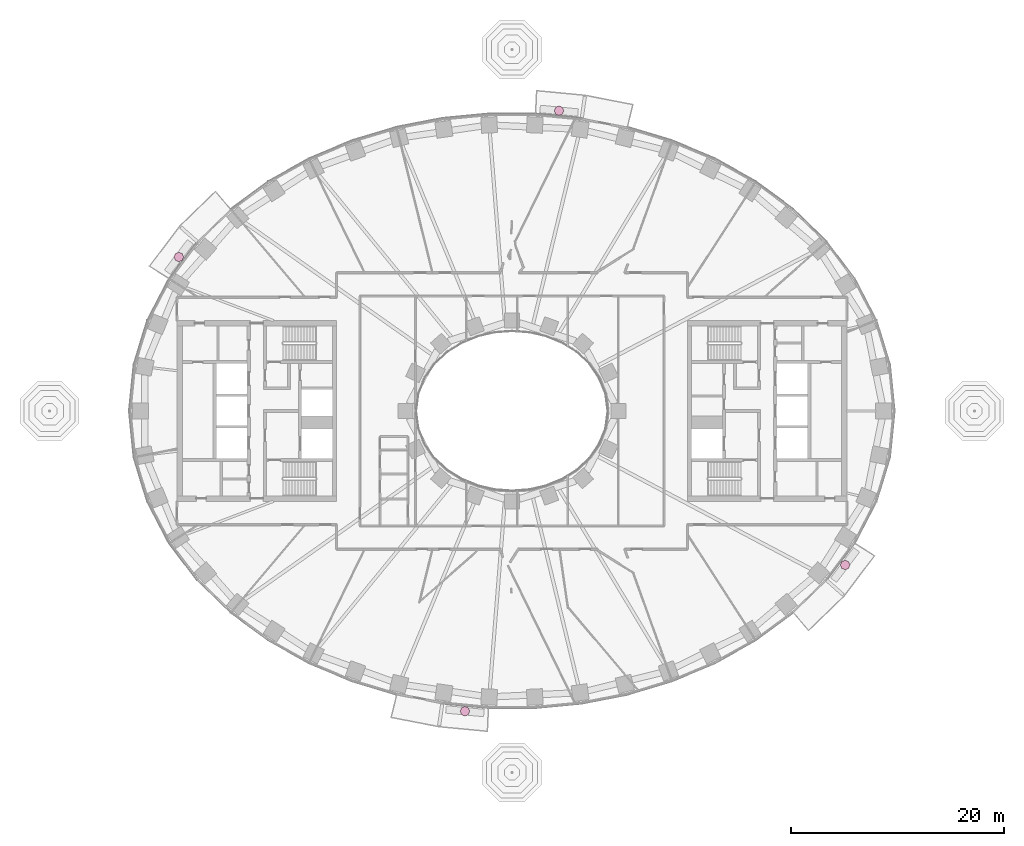
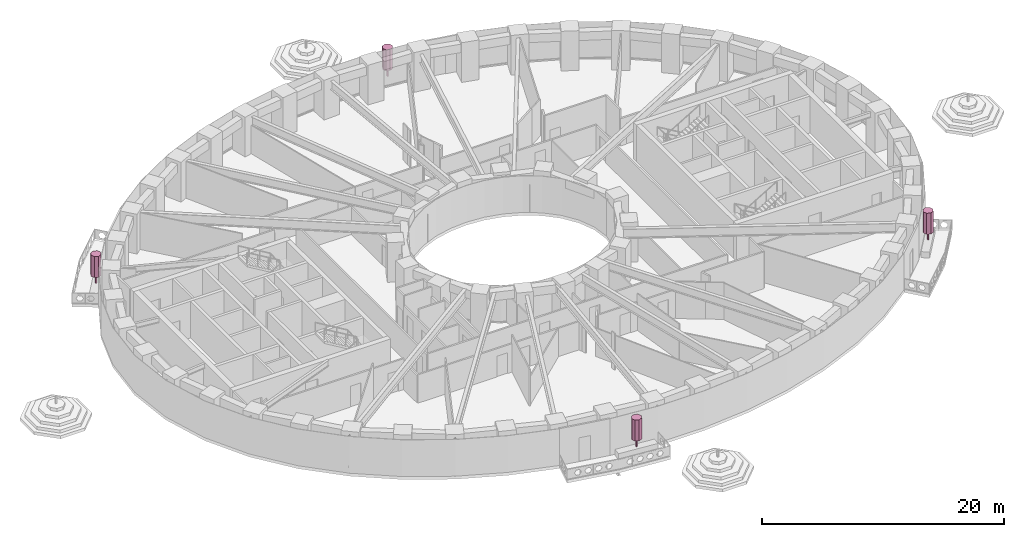
# One storey, part 20 of 20: 4 furnishings.
"""IFC4 building model written with IfcOpenShell, lengths in metres."""

from ifc_helpers import new_model, si_unit, direction, frame, origin, origin_2d, place, context, subcontext, project, spatial, polyline, rectangle, outline, extrude, material, type_object, element, save


model = new_model("IFC4")

# Units and contexts
model_context = context("Model", 3, precision=1e-05, world=origin(), true_north=direction((0.0, 1.0)))
body_context = subcontext(model_context, "Body", "Model", "MODEL_VIEW")
ifc_project = project(units=[si_unit("LENGTHUNIT", "METRE"), si_unit("AREAUNIT", "SQUARE_METRE"), si_unit("VOLUMEUNIT", "CUBIC_METRE"), si_unit("PLANEANGLEUNIT", "RADIAN"), si_unit("MASSUNIT", "GRAM", prefix="KILO")], contexts=[model_context])

# Site, building, storey
site_placement = place(None, origin())
site = spatial("IfcSite", under=ifc_project, at=site_placement, CompositionType="ELEMENT")
building_placement = place(site_placement, origin())
building = spatial("IfcBuilding", under=site, at=building_placement, Name="Noorbagh Ring Tower", CompositionType="ELEMENT")
storey_placement = place(building_placement, frame((0.0, 0.0, 34.5)))
storey = spatial("IfcBuildingStorey", under=building, at=storey_placement, Name="L06", CompositionType="ELEMENT", Elevation=34.5)

# Furnishings
ifc_material = material(Name="Planting foliage green")
furnishing_element_type = type_object("IfcFurnishingElementType", Name="ENV-TREE", material=ifc_material)
for number, where, z_axis, x_axis, name in (
    (1, (4.423828125, 28.2373046875, 0.60009765625), (0.0, 0.0, 1.0), (1.0, 0.0, 0.0), "Tree BN03"),
    (2, (-31.329833984375, 14.4833984375, 0.60009765625), (0.0, 0.0, 1.0), (1.0, 0.0, 0.0), "Tree BN06"),
    (3, (-4.423828125, -28.2373046875, 0.60009765625), (0.0, 0.0, 1.0), (1.0, 0.0, 0.0), "Tree BS03"),
    (4, (31.329833984375, -14.4833984375, 0.60009765625), (0.0, 0.0, 1.0), (1.0, 0.0, 0.0), "Tree BS06"),
):
    element("IfcFurnishingElement", number, at=place(storey_placement, frame(where, z_axis=z_axis, x_axis=x_axis)), inside=storey, type_object=furnishing_element_type, Name=name, context=body_context, shape_type="SweptSolid", body=[
        extrude(rectangle(XDim=0.1201171875, YDim=0.1201171875, at=origin_2d()), origin(), (0.0, 0.0, 1.0), 0.825927734375),
        extrude(outline(polyline([(0.449951171875, 0.0), (0.318115234375, 0.318115234375), (0.0, 0.449951171875), (-0.318115234375, 0.318115234375), (-0.449951171875, 0.0), (-0.318115234375, -0.318115234375), (0.0, -0.449951171875), (0.318115234375, -0.318115234375), (0.449951171875, 0.0)])), frame((0.0, 0.0, 0.825927734375)), (0.0, 0.0, 1.0), 2.1240234375),
    ])

save(model, "model.ifc")
